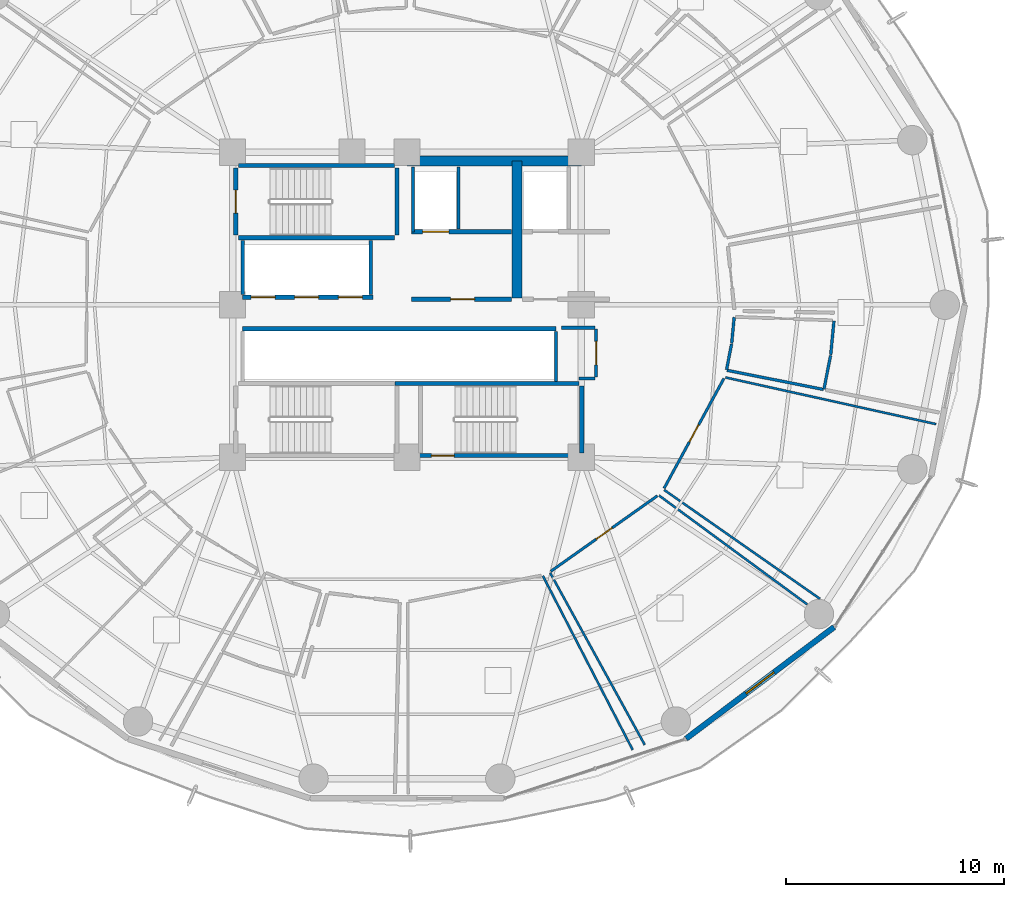
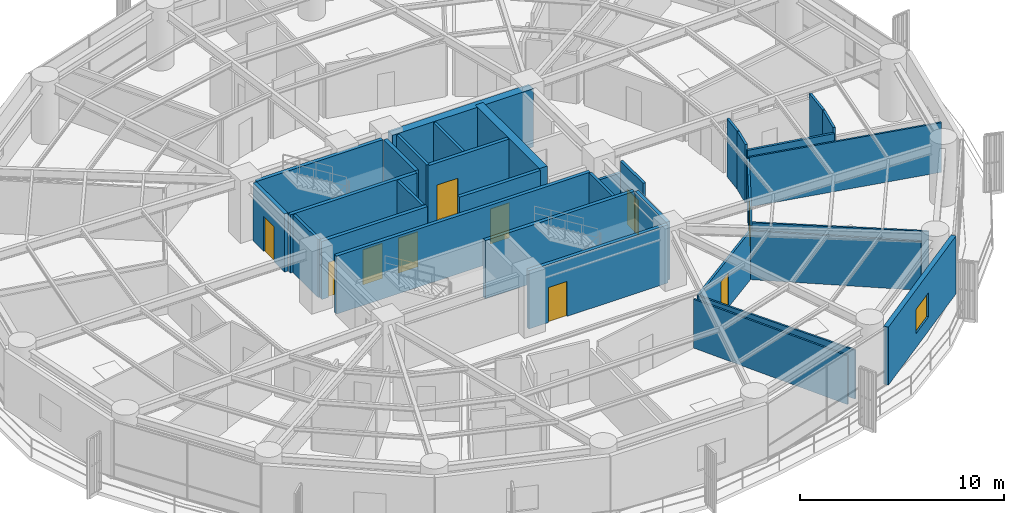
# One storey, part 30 of 35: 34 walls, 10 doors, 1 window, 11 openings.
"""IFC4 building model written with IfcOpenShell, lengths in metres."""

import ifcopenshell
import ifcopenshell.guid

model = None  # the IFC model being written
_history = None  # IfcOwnerHistory: only IFC2X3 demands one
_inside = {}  # id of a spatial element -> (the spatial element, [elements in it])
_under = {}  # id of a project, library or spatial element -> (it, [spatial elements below it])
_declared = {}  # id of a project -> (the project, [libraries it declares])
_typed = {}  # id of a type object -> (the type object, [elements of that type])
_made_of = {}  # id of a material, layer set ... -> (it, [elements and type objects made of it])


def new_model(schema):
    """Start an empty IFC model of exactly this schema.

    Asked for "IFC4X3", IfcOpenShell would pick the latest addendum, in which some entities
    have other attributes; the version numbers below select the first issue.
    IFC2X3 requires an IfcOwnerHistory on every rooted entity: one is made here for all.
    """
    global model, _history
    if schema == "IFC4X3":
        model = ifcopenshell.file(schema_version=(4, 3, 0, 0))
    else:
        model = ifcopenshell.file(schema=schema)
    _inside.clear()
    _under.clear()
    _declared.clear()
    _typed.clear()
    _made_of.clear()
    _history = None
    if model.schema == "IFC2X3":
        org = make("IfcOrganization", Name="unknown")
        user = make(
            "IfcPersonAndOrganization",
            ThePerson=make("IfcPerson", FamilyName="unknown"),
            TheOrganization=org,
        )
        app = make(
            "IfcApplication",
            ApplicationDeveloper=org,
            Version="unknown",
            ApplicationFullName="unknown",
            ApplicationIdentifier="unknown",
        )
        _history = make(
            "IfcOwnerHistory",
            OwningUser=user,
            OwningApplication=app,
            ChangeAction="ADDED",
            CreationDate=0,
        )
    return model


def make(cls, **values):
    """One entity of the class cls with the attributes given. An attribute that is None is left unset."""
    return model.create_entity(
        cls, **{name: value for name, value in values.items() if value is not None}
    )


def rooted(cls, **values):
    """An entity with a GlobalId (a new one), such as an element, a storey or a relation."""
    return make(cls, GlobalId=ifcopenshell.guid.new(), OwnerHistory=_history, **values)


def si_unit(unit_type, name, prefix=None):
    """IfcSIUnit, for example si_unit("LENGTHUNIT", "METRE", prefix="MILLI")."""
    return make("IfcSIUnit", UnitType=unit_type, Prefix=prefix, Name=name)


def assignment(units):
    """IfcUnitAssignment: the units of a project."""
    return None if units is None else make("IfcUnitAssignment", Units=units)


def point(xyz):
    """IfcCartesianPoint."""
    return None if xyz is None else make("IfcCartesianPoint", Coordinates=xyz)


def direction(xyz):
    """IfcDirection."""
    return None if xyz is None else make("IfcDirection", DirectionRatios=xyz)


def frame(location, z_axis=None, x_axis=None):
    """IfcAxis2Placement3D, a coordinate frame: its origin and axes. An axis left out is left unset."""
    return make(
        "IfcAxis2Placement3D",
        Location=point(location),
        Axis=direction(z_axis),
        RefDirection=direction(x_axis),
    )


def frame_2d(location, x_axis=None):
    """IfcAxis2Placement2D, a coordinate frame in the plane: its origin and x axis."""
    return make(
        "IfcAxis2Placement2D", Location=point(location), RefDirection=direction(x_axis)
    )


def origin():
    """The frame at (0, 0, 0) with its axes left unset."""
    return frame((0.0, 0.0, 0.0))


def place(relative_to, where):
    """IfcLocalPlacement: puts the frame where relative to a parent placement (None: the world)."""
    return make(
        "IfcLocalPlacement", PlacementRelTo=relative_to, RelativePlacement=where
    )


def context(
    kind, dimensions, precision=None, world=None, true_north=None, identifier=None
):
    """IfcGeometricRepresentationContext, for example the 3D "Model" context."""
    return make(
        "IfcGeometricRepresentationContext",
        ContextIdentifier=identifier,
        ContextType=kind,
        CoordinateSpaceDimension=dimensions,
        Precision=precision,
        WorldCoordinateSystem=world,
        TrueNorth=true_north,
    )


def subcontext(parent, identifier, kind, view, scale=None):
    """IfcGeometricRepresentationSubContext, for example "Body" below "Model"."""
    return make(
        "IfcGeometricRepresentationSubContext",
        ContextIdentifier=identifier,
        ContextType=kind,
        ParentContext=parent,
        TargetScale=scale,
        TargetView=view,
    )


def project(units=None, contexts=None):
    """IfcProject with its units and contexts."""
    return rooted(
        "IfcProject",
        Name="project",
        RepresentationContexts=contexts,
        UnitsInContext=assignment(units),
    )


def spatial(cls, under=None, at=None, **own):
    """A site, building, storey or space (cls), placed at a placement, below another one or the project."""
    s = rooted(cls, ObjectPlacement=at, **own)
    if under is not None:
        _under.setdefault(under.id(), (under, []))[1].append(s)
    return s


def profile(cls, at=None, kind="AREA", **sizes):
    """A parametric profile (cls). Its sizes go by their IFC names, for example OverallWidth=200.0."""
    return make(cls, ProfileType=kind, Position=at, **sizes)


def rectangle(**sizes):
    """IfcRectangleProfileDef."""
    return profile("IfcRectangleProfileDef", **sizes)


def extrude(swept, where, along, depth):
    """IfcExtrudedAreaSolid: the profile swept, set in the frame where, extruded along a direction by depth."""
    return make(
        "IfcExtrudedAreaSolid",
        SweptArea=swept,
        Position=where,
        ExtrudedDirection=direction(along),
        Depth=depth,
    )


def shape(context_of_items, identifier, shape_type, items):
    """IfcShapeRepresentation: the items that make up one representation, for example the "Body"."""
    return make(
        "IfcShapeRepresentation",
        ContextOfItems=context_of_items,
        RepresentationIdentifier=identifier,
        RepresentationType=shape_type,
        Items=items,
    )


def material(Name=None, Category=None):
    """IfcMaterial."""
    return make("IfcMaterial", Name=Name, Category=Category)


def layer(
    of_material, thickness, ventilated=None, Name=None, Category=None, Priority=None
):
    """IfcMaterialLayer: one layer of a wall or slab, of a material (None: an air gap)."""
    return make(
        "IfcMaterialLayer",
        Material=of_material,
        LayerThickness=thickness,
        IsVentilated=ventilated,
        Name=Name,
        Category=Category,
        Priority=Priority,
    )


def layer_set(layers, Name=None):
    """IfcMaterialLayerSet."""
    return make("IfcMaterialLayerSet", MaterialLayers=layers, LayerSetName=Name)


def made_of(thing, what):
    """Note that an element or type object is made of a material, layer set ...; save() writes the relation."""
    if what is not None:
        _made_of.setdefault(what.id(), (what, []))[1].append(thing)
    return thing


def type_object(cls, material=None, **own):
    """A type object (cls), such as IfcWallType, which elements share."""
    return made_of(rooted(cls, **own), material)


def element(
    cls,
    number,
    at=None,
    inside=None,
    cuts=None,
    type_object=None,
    material=None,
    context=None,
    identifier="Body",
    shape_type=None,
    held_by="IfcProductDefinitionShape",
    body=None,
    shapes=None,
    **own,
):
    """One element of the class cls, such as IfcWall. Its Tag is "e" and its number.

    at: its placement. inside: the storey or other place that contains it. cuts: it is an
    opening in that element (IfcRelVoidsElement). A single representation is given by context,
    identifier, shape_type and body (its items); several are given by shapes. held_by: the class
    of the entity that holds the representations. save() writes the other relations.
    """
    e = rooted(cls, Tag="e%d" % number, ObjectPlacement=at, **own)
    if body is not None:
        shapes = [shape(context, identifier, shape_type, body)]
    if shapes is not None:
        e.Representation = make(held_by, Representations=shapes)
    if inside is not None:
        _inside.setdefault(inside.id(), (inside, []))[1].append(e)
    if cuts is not None:
        rooted(
            "IfcRelVoidsElement", RelatingBuildingElement=cuts, RelatedOpeningElement=e
        )
    if type_object is not None:
        _typed.setdefault(type_object.id(), (type_object, []))[1].append(e)
    return made_of(e, material)


def fill(opening, filler):
    """IfcRelFillsElement: the door or window that sits in an opening."""
    return rooted(
        "IfcRelFillsElement",
        RelatingOpeningElement=opening,
        RelatedBuildingElement=filler,
    )


def aggregate(whole, parts):
    """IfcRelAggregates: a whole, such as a stair, and the parts it consists of."""
    return rooted("IfcRelAggregates", RelatingObject=whole, RelatedObjects=parts)


def save(model, path):
    """Write the relations noted so far, then the file.

    IfcRelAggregates (storeys below a building ...), IfcRelContainedInSpatialStructure (elements
    in a storey), IfcRelDefinesByType, IfcRelAssociatesMaterial and IfcRelDeclares: one each for
    every whole, place, type object, material and project.
    """
    for whole, parts in _under.values():
        aggregate(whole, parts)
    for where, things in _inside.values():
        rooted(
            "IfcRelContainedInSpatialStructure",
            RelatedElements=things,
            RelatingStructure=where,
        )
    for kind, things in _typed.values():
        rooted("IfcRelDefinesByType", RelatedObjects=things, RelatingType=kind)
    for what, things in _made_of.values():
        rooted("IfcRelAssociatesMaterial", RelatedObjects=things, RelatingMaterial=what)
    for by, libraries in _declared.values():
        rooted("IfcRelDeclares", RelatingContext=by, RelatedDefinitions=libraries)
    model.write(path)


model = new_model("IFC4")

# Units and contexts
model_context = context("Model", 3, precision=1e-05, world=origin(), true_north=direction((0.0, 1.0)))
body_context = subcontext(model_context, "Body", "Model", "MODEL_VIEW")
ifc_project = project(units=[si_unit("LENGTHUNIT", "METRE"), si_unit("AREAUNIT", "SQUARE_METRE"), si_unit("VOLUMEUNIT", "CUBIC_METRE"), si_unit("PLANEANGLEUNIT", "RADIAN"), si_unit("MASSUNIT", "GRAM", prefix="KILO")], contexts=[model_context])

# Site, building, storey
site_placement = place(None, origin())
site = spatial("IfcSite", under=ifc_project, at=site_placement, CompositionType="ELEMENT")
building_placement = place(site_placement, origin())
building = spatial("IfcBuilding", under=site, at=building_placement, Name="Kelanora Arch Commons", CompositionType="ELEMENT")
storey_placement = place(building_placement, frame((0.0, 0.0, 121.35009765625)))
storey = spatial("IfcBuildingStorey", under=building, at=storey_placement, Name="L31", CompositionType="ELEMENT", Elevation=121.35009765625)

# Walls
ifc_material_1 = material(Name="Autoclaved aerated concrete blockwork with fire plaster", Category="masonry")
ifc_layer_1 = layer(ifc_material_1, 0.14990234375)
ifc_layer_set_1 = layer_set([ifc_layer_1], Name="Autoclaved aerated concrete blockwork with fire plaster")
wall_type_1 = type_object("IfcWallType", Name="W-COMP-150", PredefinedType="PARTITIONING", material=ifc_layer_set_1)
wall_1_placement = place(storey_placement, frame((74.280029296875, 61.35009765625, 0.0), z_axis=(0.0, 0.0, 1.0), x_axis=(0.0, 1.0, 0.0)))
element("IfcWall", 1, at=wall_1_placement, inside=storey, type_object=wall_type_1, Name="Firefighting Lift 1 West Shaft Wall L31", PredefinedType="PARTITIONING", context=body_context, shape_type="SweptSolid", body=[
    extrude(rectangle(XDim=2.969970703125, YDim=0.14990234375, at=frame_2d((1.48486328125, 0.0))), origin(), (0.0, 0.0, 1.0), 3.47998046875),
])
wall_2_placement = place(storey_placement, frame((76.360107421875, 61.47998046875, 0.0), z_axis=(0.0, 0.0, 1.0), x_axis=(0.0, 1.0, 0.0)))
element("IfcWall", 2, at=wall_2_placement, inside=storey, type_object=wall_type_1, Name="Firefighting Lift 1 East Shaft Wall L31", PredefinedType="PARTITIONING", context=body_context, shape_type="SweptSolid", body=[
    extrude(rectangle(XDim=2.840087890625, YDim=0.14990234375, at=frame_2d((1.419921875, 0.0))), origin(), (0.0, 0.0, 1.0), 3.47998046875),
])
for number, where, z_axis, x_axis, name in (
    (3, (66.4599609375, 58.47998046875, 0.0), (0.0, 0.0, 1.0), (0.0, 1.0, 0.0), "Low-Rise Lift Bank West Wall L31"),
    (4, (72.340087890625, 58.47998046875, 0.0), (0.0, 0.0, 1.0), (0.0, 1.0, 0.0), "Low-Rise Lift Bank East Wall L31"),
):
    element("IfcWall", number, at=place(storey_placement, frame(where, z_axis=z_axis, x_axis=x_axis)), inside=storey, type_object=wall_type_1, Name=name, PredefinedType="PARTITIONING", context=body_context, shape_type="SweptSolid", body=[
        extrude(rectangle(XDim=2.4599609375, YDim=0.14990234375, at=frame_2d((1.22998046875, 0.0))), origin(), (0.0, 0.0, 1.0), 3.47998046875),
    ])
wall_3_placement = place(storey_placement, frame((80.840087890625, 54.47998046875, 0.0), z_axis=(0.0, 0.0, 1.0), x_axis=(0.0, 1.0, 0.0)))
element("IfcWall", 5, at=wall_3_placement, inside=storey, type_object=wall_type_1, Name="South Lift Bank East Wall L31", PredefinedType="PARTITIONING", context=body_context, shape_type="SweptSolid", body=[
    extrude(rectangle(XDim=2.2900390625, YDim=0.14990234375, at=frame_2d((1.14501953125, 0.0))), origin(), (0.0, 0.0, 1.0), 3.47998046875),
])

# Wall, opening, door
wall_4_placement = place(storey_placement, frame((82.679931640625, 54.679931640625, 0.0), z_axis=(0.0, 0.0, 1.0), x_axis=(0.0, 1.0, 0.0)))
wall_4 = element("IfcWall", 6, at=wall_4_placement, inside=storey, type_object=wall_type_1, Name="Core Housekeeping Store L31 Entry Partition", PredefinedType="PARTITIONING", context=body_context, shape_type="SweptSolid", body=[
    extrude(rectangle(XDim=2.2099609375, YDim=0.14990234375, at=frame_2d((1.10498046875, 0.0))), origin(), (0.0, 0.0, 1.0), 3.47998046875),
])
opening_1_placement = place(wall_4_placement, frame((0.56494140625, 0.0, 0.0)))
opening_1 = element("IfcOpeningElement", 7, at=opening_1_placement, cuts=wall_4, Name="Opening D-PLT1", PredefinedType="OPENING", context=body_context, shape_type="SweptSolid", body=[
    extrude(rectangle(XDim=1.080078125, YDim=2.10009765625, at=frame_2d((0.5400390625, 1.050048828125))), frame((0.0, 0.0849609375, 0.0), z_axis=(0.0, -1.0, 0.0), x_axis=(1.0, 0.0, 0.0)), (0.0, 0.0, 1.0), 0.169921875),
])
ifc_material_2 = material(Name="Galvanised steel plant and riser fire door", Category="steel")
door_type_1 = type_object("IfcDoorType", Name="D-PLT-110", OperationType="NOTDEFINED", PredefinedType="DOOR", material=ifc_material_2)
door_1_placement = place(opening_1_placement, origin())
door_1 = element("IfcDoor", 8, at=door_1_placement, inside=storey, type_object=door_type_1, Name="Core Housekeeping Store L31 Door", OperationType="SINGLE_SWING_LEFT", OverallHeight=2.10009765625, OverallWidth=1.080078125, PredefinedType="DOOR", context=body_context, shape_type="SweptSolid", body=[
    extrude(rectangle(XDim=1.080078125, YDim=2.10009765625, at=frame_2d((0.5400390625, 1.050048828125))), frame((0.0, 0.02490234375, 0.0), z_axis=(0.0, -1.0, 0.0), x_axis=(1.0, 0.0, 0.0)), (0.0, 0.0, 1.0), 0.050048828125),
])
fill(opening_1, door_1)

# Walls
wall_5_placement = place(storey_placement, frame((81.89990234375, 54.6201171875, 0.0), z_axis=(0.0, 0.0, 1.0), x_axis=(1.0, 0.0, 0.0)))
element("IfcWall", 9, at=wall_5_placement, inside=storey, type_object=wall_type_1, Name="Core Housekeeping Store L31 Enclosure Partition 1", PredefinedType="PARTITIONING", context=body_context, shape_type="SweptSolid", body=[
    extrude(rectangle(XDim=0.739990234375, YDim=0.14990234375, at=frame_2d((0.3701171875, 0.0))), origin(), (0.0, 0.0, 1.0), 2.77490234375),
])
wall_6_placement = place(storey_placement, frame((82.639892578125, 56.949951171875, 0.0), z_axis=(0.0, 0.0, 1.0), x_axis=(-1.0, 0.0, 0.0)))
element("IfcWall", 10, at=wall_6_placement, inside=storey, type_object=wall_type_1, Name="Core Housekeeping Store L31 Enclosure Partition 3", PredefinedType="PARTITIONING", context=body_context, shape_type="SweptSolid", body=[
    extrude(rectangle(XDim=1.5498046875, YDim=0.14990234375, at=frame_2d((0.77490234375, 0.0))), origin(), (0.0, 0.0, 1.0), 2.77490234375),
])
ifc_material_3 = material(Name="Concrete C60/75", Category="concrete")
ifc_layer_2 = layer(ifc_material_3, 0.449951171875)
ifc_layer_set_2 = layer_set([ifc_layer_2], Name="Concrete C60/75")
wall_type_2 = type_object("IfcWallType", Name="W-CORE-450", PredefinedType="SHEAR", material=ifc_layer_set_2)
wall_7_placement = place(storey_placement, frame((74.0, 64.60009765625, 0.0), z_axis=(0.0, 0.0, 1.0), x_axis=(1.0, 0.0, 0.0)))
element("IfcWall", 11, at=wall_7_placement, inside=storey, type_object=wall_type_2, Name="Core Shear Spine L31-CN-E", PredefinedType="SHEAR", context=body_context, shape_type="SweptSolid", body=[
    extrude(rectangle(XDim=8.0, YDim=0.449951171875, at=frame_2d((4.0, 0.0))), origin(), (0.0, 0.0, 1.0), 3.489990234375),
])
wall_8_placement = place(storey_placement, frame((79.050048828125, 58.300048828125, 0.0), z_axis=(0.0, 0.0, 1.0), x_axis=(0.0, 1.0, 0.0)))
element("IfcWall", 12, at=wall_8_placement, inside=storey, type_object=wall_type_2, Name="Core Shear Spine L31-CE-N", PredefinedType="SHEAR", context=body_context, shape_type="SweptSolid", body=[
    extrude(rectangle(XDim=6.300048828125, YDim=0.449951171875, at=frame_2d((3.14990234375, 0.0))), origin(), (0.0, 0.0, 1.0), 3.489990234375),
])

# Wall, opening, window
ifc_material_4 = material(Name="Precast concrete C40/50 with terracotta rainscreen", Category="masonry")
ifc_layer_3 = layer(ifc_material_4, 0.260009765625)
ifc_layer_set_3 = layer_set([ifc_layer_3], Name="Precast concrete C40/50 with terracotta rainscreen")
wall_type_3 = type_object("IfcWallType", Name="W-EXT-TC", PredefinedType="SOLIDWALL", material=ifc_layer_set_3)
wall_9_placement = place(storey_placement, frame((86.81201171875, 38.09033203125, 0.0), z_axis=(0.0, 0.0, 1.0), x_axis=(0.798501507879, 0.601992808857, 0.0)))
wall_9 = element("IfcWall", 13, at=wall_9_placement, inside=storey, type_object=wall_type_3, Name="Terracotta Exterior Wall L31-B15", PredefinedType="SOLIDWALL", context=body_context, shape_type="SweptSolid", body=[
    extrude(rectangle(XDim=8.499267578125, YDim=0.260009765625, at=frame_2d((4.24951171875, 0.0))), origin(), (0.0, 0.0, 1.0), 3.474853515625),
])
opening_2_placement = place(wall_9_placement, frame((3.449951171875, 0.0, 0.85009765625)))
opening_2 = element("IfcOpeningElement", 14, at=opening_2_placement, cuts=wall_9, Name="Opening WN-01", PredefinedType="OPENING", context=body_context, shape_type="SweptSolid", body=[
    extrude(rectangle(XDim=1.60009765625, YDim=1.449951171875, at=frame_2d((0.800048828125, 0.72509765625))), frame((0.0, 0.14013671875, 0.0), z_axis=(0.0, -1.0, 0.0), x_axis=(1.0, 0.0, 0.0)), (0.0, 0.0, 1.0), 0.280029296875),
])
ifc_material_5 = material(Name="Terracotta-anodised aluminium frame with operable low-E glazing", Category="masonry")
window_type = type_object("IfcWindowType", Name="WIN-CL-18", PartitioningType="DOUBLE_PANEL_VERTICAL", PredefinedType="WINDOW", material=ifc_material_5)
window_placement = place(opening_2_placement, origin())
window = element("IfcWindow", 15, at=window_placement, inside=storey, type_object=window_type, Name="Co-Living Operable Window L31-B15", OverallHeight=1.449951171875, OverallWidth=1.60009765625, PartitioningType="SINGLE_PANEL", PredefinedType="WINDOW", context=body_context, shape_type="SweptSolid", body=[
    extrude(rectangle(XDim=1.60009765625, YDim=1.449951171875, at=frame_2d((0.800048828125, 0.72509765625))), frame((0.0, 0.030029296875, 0.0), z_axis=(0.0, -1.0, 0.0), x_axis=(1.0, 0.0, 0.0)), (0.0, 0.0, 1.0), 0.06005859375),
])
fill(opening_2, window)

# Wall, opening, door
ifc_material_6 = material(Name="Concrete C40/50", Category="concrete")
ifc_layer_4 = layer(ifc_material_6, 0.199951171875)
ifc_layer_set_4 = layer_set([ifc_layer_4], Name="Concrete C40/50")
wall_type_4 = type_object("IfcWallType", Name="W-FFL-200", PredefinedType="SOLIDWALL", material=ifc_layer_set_4)
wall_10_placement = place(storey_placement, frame((74.199951171875, 61.35009765625, 0.0), z_axis=(0.0, 0.0, 1.0), x_axis=(1.0, 0.0, 0.0)))
wall_10 = element("IfcWall", 16, at=wall_10_placement, inside=storey, type_object=wall_type_4, Name="Firefighting Lift 1 Shaft Front L31", PredefinedType="SOLIDWALL", context=body_context, shape_type="SweptSolid", body=[
    extrude(rectangle(XDim=4.60009765625, YDim=0.199951171875, at=frame_2d((2.300048828125, 0.0))), origin(), (0.0, 0.0, 1.0), 3.47998046875),
])
opening_3_placement = place(wall_10_placement, frame((0.52001953125, 0.0, 0.0)))
opening_3 = element("IfcOpeningElement", 17, at=opening_3_placement, cuts=wall_10, Name="Opening LD-FF", PredefinedType="OPENING", context=body_context, shape_type="SweptSolid", body=[
    extrude(rectangle(XDim=1.199951171875, YDim=2.14990234375, at=frame_2d((0.60009765625, 1.074951171875))), frame((0.0, 0.10986328125, 0.0), z_axis=(0.0, -1.0, 0.0), x_axis=(1.0, 0.0, 0.0)), (0.0, 0.0, 1.0), 0.219970703125),
])
ifc_material_7 = material(Name="Fire-rated firefighters lift sliding landing door")
door_type_2 = type_object("IfcDoorType", Name="D-LIFT-FF", OperationType="NOTDEFINED", PredefinedType="DOOR", material=ifc_material_7)
door_2_placement = place(opening_3_placement, origin())
door_2 = element("IfcDoor", 18, at=door_2_placement, inside=storey, type_object=door_type_2, Name="Firefighting Lift LF-FF1 Landing Door L31", OperationType="DOUBLE_DOOR_SLIDING", OverallHeight=2.14990234375, OverallWidth=1.199951171875, PredefinedType="DOOR", context=body_context, shape_type="SweptSolid", body=[
    extrude(rectangle(XDim=1.199951171875, YDim=2.14990234375, at=frame_2d((0.60009765625, 1.074951171875))), frame((0.0, 0.02490234375, 0.0), z_axis=(0.0, -1.0, 0.0), x_axis=(1.0, 0.0, 0.0)), (0.0, 0.0, 1.0), 0.050048828125),
])
fill(opening_3, door_2)

wall_11_placement = place(storey_placement, frame((74.199951171875, 58.25, 0.0), z_axis=(0.0, 0.0, 1.0), x_axis=(1.0, 0.0, 0.0)))
wall_11 = element("IfcWall", 19, at=wall_11_placement, inside=storey, type_object=wall_type_4, Name="Firefighting Lobby 1 Enclosure Wall L31", PredefinedType="SOLIDWALL", context=body_context, shape_type="SweptSolid", body=[
    extrude(rectangle(XDim=4.60009765625, YDim=0.199951171875, at=frame_2d((2.300048828125, 0.0))), origin(), (0.0, 0.0, 1.0), 3.47998046875),
])
opening_4_placement = place(wall_11_placement, frame((1.800048828125, 0.0, 0.0)))
opening_4 = element("IfcOpeningElement", 20, at=opening_4_placement, cuts=wall_11, Name="Opening D-FFL1", PredefinedType="OPENING", context=body_context, shape_type="SweptSolid", body=[
    extrude(rectangle(XDim=1.10009765625, YDim=2.10009765625, at=frame_2d((0.550048828125, 1.050048828125))), frame((0.0, 0.10986328125, 0.0), z_axis=(0.0, -1.0, 0.0), x_axis=(1.0, 0.0, 0.0)), (0.0, 0.0, 1.0), 0.219970703125),
])
ifc_material_8 = material(Name="Smoke-sealed firefighting lobby fire door")
door_type_3 = type_object("IfcDoorType", Name="D-FFL-110", OperationType="NOTDEFINED", PredefinedType="DOOR", material=ifc_material_8)
door_3_placement = place(opening_4_placement, frame((1.10009765625, 0.0, 0.0), z_axis=(0.0, 0.0, 1.0), x_axis=(-1.0, 0.0, 0.0)))
door_3 = element("IfcDoor", 21, at=door_3_placement, inside=storey, type_object=door_type_3, Name="Firefighting Lobby 1 Door L31", OperationType="SINGLE_SWING_LEFT", OverallHeight=2.10009765625, OverallWidth=1.10009765625, PredefinedType="DOOR", context=body_context, shape_type="SweptSolid", body=[
    extrude(rectangle(XDim=1.10009765625, YDim=2.10009765625, at=frame_2d((0.550048828125, 1.050048828125))), frame((0.0, 0.02490234375, 0.0), z_axis=(0.0, -1.0, 0.0), x_axis=(1.0, 0.0, 0.0)), (0.0, 0.0, 1.0), 0.050048828125),
])
fill(opening_4, door_3)

# Wall, openings, doors
wall_12_placement = place(storey_placement, frame((66.449951171875, 58.35009765625, 0.0), z_axis=(0.0, 0.0, 1.0), x_axis=(1.0, 0.0, 0.0)))
wall_12 = element("IfcWall", 22, at=wall_12_placement, inside=storey, type_object=wall_type_4, Name="Low-Rise Passenger Lift Shaft Front L31", PredefinedType="SOLIDWALL", context=body_context, shape_type="SweptSolid", body=[
    extrude(rectangle(XDim=6.0, YDim=0.199951171875, at=frame_2d((3.0, 0.0))), origin(), (0.0, 0.0, 1.0), 3.47998046875),
])
opening_5_placement = place(wall_12_placement, frame((0.39990234375, 0.0, 0.0)))
opening_5 = element("IfcOpeningElement", 23, at=opening_5_placement, cuts=wall_12, Name="Opening LD-01", PredefinedType="OPENING", context=body_context, shape_type="SweptSolid", body=[
    extrude(rectangle(XDim=1.10009765625, YDim=2.10009765625, at=frame_2d((0.550048828125, 1.050048828125))), frame((0.0, 0.10986328125, 0.0), z_axis=(0.0, -1.0, 0.0), x_axis=(1.0, 0.0, 0.0)), (0.0, 0.0, 1.0), 0.219970703125),
])
opening_6_placement = place(wall_12_placement, frame((2.39990234375, 0.0, 0.0)))
opening_6 = element("IfcOpeningElement", 24, at=opening_6_placement, cuts=wall_12, Name="Opening LD-01", PredefinedType="OPENING", context=body_context, shape_type="SweptSolid", body=[
    extrude(rectangle(XDim=1.10009765625, YDim=2.10009765625, at=frame_2d((0.550048828125, 1.050048828125))), frame((0.0, 0.10986328125, 0.0), z_axis=(0.0, -1.0, 0.0), x_axis=(1.0, 0.0, 0.0)), (0.0, 0.0, 1.0), 0.219970703125),
])
opening_7_placement = place(wall_12_placement, frame((4.39990234375, 0.0, 0.0)))
opening_7 = element("IfcOpeningElement", 25, at=opening_7_placement, cuts=wall_12, Name="Opening LD-01", PredefinedType="OPENING", context=body_context, shape_type="SweptSolid", body=[
    extrude(rectangle(XDim=1.10009765625, YDim=2.10009765625, at=frame_2d((0.550048828125, 1.050048828125))), frame((0.0, 0.10986328125, 0.0), z_axis=(0.0, -1.0, 0.0), x_axis=(1.0, 0.0, 0.0)), (0.0, 0.0, 1.0), 0.219970703125),
])
ifc_material_9 = material(Name="Stainless steel passenger lift sliding landing door", Category="steel")
door_type_4 = type_object("IfcDoorType", Name="D-LIFT-110", OperationType="NOTDEFINED", PredefinedType="DOOR", material=ifc_material_9)
door_4_placement = place(opening_5_placement, origin())
door_4 = element("IfcDoor", 26, at=door_4_placement, inside=storey, type_object=door_type_4, Name="Passenger Lift LF-P1 Landing Door L31", OperationType="DOUBLE_DOOR_SLIDING", OverallHeight=2.10009765625, OverallWidth=1.10009765625, PredefinedType="DOOR", context=body_context, shape_type="SweptSolid", body=[
    extrude(rectangle(XDim=1.10009765625, YDim=2.10009765625, at=frame_2d((0.550048828125, 1.050048828125))), frame((0.0, 0.02490234375, 0.0), z_axis=(0.0, -1.0, 0.0), x_axis=(1.0, 0.0, 0.0)), (0.0, 0.0, 1.0), 0.050048828125),
])
fill(opening_5, door_4)
door_5_placement = place(opening_6_placement, origin())
door_5 = element("IfcDoor", 27, at=door_5_placement, inside=storey, type_object=door_type_4, Name="Passenger Lift LF-P2 Landing Door L31", OperationType="DOUBLE_DOOR_SLIDING", OverallHeight=2.10009765625, OverallWidth=1.10009765625, PredefinedType="DOOR", context=body_context, shape_type="SweptSolid", body=[
    extrude(rectangle(XDim=1.10009765625, YDim=2.10009765625, at=frame_2d((0.550048828125, 1.050048828125))), frame((0.0, 0.02490234375, 0.0), z_axis=(0.0, -1.0, 0.0), x_axis=(1.0, 0.0, 0.0)), (0.0, 0.0, 1.0), 0.050048828125),
])
fill(opening_6, door_5)
door_6_placement = place(opening_7_placement, origin())
door_6 = element("IfcDoor", 28, at=door_6_placement, inside=storey, type_object=door_type_4, Name="Passenger Lift LF-P3 Landing Door L31", OperationType="DOUBLE_DOOR_SLIDING", OverallHeight=2.10009765625, OverallWidth=1.10009765625, PredefinedType="DOOR", context=body_context, shape_type="SweptSolid", body=[
    extrude(rectangle(XDim=1.10009765625, YDim=2.10009765625, at=frame_2d((0.550048828125, 1.050048828125))), frame((0.0, 0.02490234375, 0.0), z_axis=(0.0, -1.0, 0.0), x_axis=(1.0, 0.0, 0.0)), (0.0, 0.0, 1.0), 0.050048828125),
])
fill(opening_7, door_6)

# Walls
wall_13_placement = place(storey_placement, frame((66.449951171875, 56.89990234375, 0.0), z_axis=(0.0, 0.0, 1.0), x_axis=(1.0, 0.0, 0.0)))
element("IfcWall", 29, at=wall_13_placement, inside=storey, type_object=wall_type_4, Name="Mid/High/Express Lift Shaft Front L31", PredefinedType="SOLIDWALL", context=body_context, shape_type="SweptSolid", body=[
    extrude(rectangle(XDim=14.400146484375, YDim=0.199951171875, at=frame_2d((7.2001953125, 0.0))), origin(), (0.0, 0.0, 1.0), 3.47998046875),
])
ifc_material_10 = material(Name="Lightweight fire-rated acoustic stud partition")
ifc_layer_5 = layer(ifc_material_10, 0.10009765625)
ifc_layer_set_5 = layer_set([ifc_layer_5], Name="Lightweight fire-rated acoustic stud partition")
wall_type_5 = type_object("IfcWallType", Name="W-PART-100", PredefinedType="PARTITIONING", material=ifc_layer_set_5)
wall_14_placement = place(storey_placement, frame((80.2373046875, 45.556396484375, 0.0), z_axis=(0.0, 0.0, 1.0), x_axis=(0.458694817529, -0.888593869196, 0.0)))
element("IfcWall", 30, at=wall_14_placement, inside=storey, type_object=wall_type_5, Name="Social Sky Lounge L31-10 Enclosure Partition 2", PredefinedType="PARTITIONING", context=body_context, shape_type="SweptSolid", body=[
    extrude(rectangle(XDim=8.987060546875, YDim=0.10009765625, at=frame_2d((4.49365234375, 0.0))), origin(), (0.0, 0.0, 1.0), 2.9248046875),
])
wall_15_placement = place(storey_placement, frame((85.572265625, 49.243408203125, 0.0), z_axis=(0.0, 0.0, 1.0), x_axis=(0.805852200235, -0.592116737963, 0.0)))
element("IfcWall", 31, at=wall_15_placement, inside=storey, type_object=wall_type_5, Name="Quiet Seminar Study Room L31-11 Enclosure Partition 2", PredefinedType="PARTITIONING", context=body_context, shape_type="SweptSolid", body=[
    extrude(rectangle(XDim=8.429931640625, YDim=0.10009765625, at=frame_2d((4.21484375, 0.0))), origin(), (0.0, 0.0, 1.0), 2.9248046875),
])
wall_16_placement = place(storey_placement, frame((84.91259765625, 37.802978515625, 0.0), z_axis=(0.0, 0.0, 1.0), x_axis=(-0.481837612944, 0.876260529039, 0.0)))
element("IfcWall", 32, at=wall_16_placement, inside=storey, type_object=wall_type_5, Name="Quiet Seminar Study Room L31-11 Enclosure Partition 4", PredefinedType="PARTITIONING", context=body_context, shape_type="SweptSolid", body=[
    extrude(rectangle(XDim=9.010009765625, YDim=0.10009765625, at=frame_2d((4.5048828125, 0.0))), origin(), (0.0, 0.0, 1.0), 2.9248046875),
])
wall_17_placement = place(storey_placement, frame((88.614013671875, 54.664306640625, 0.0), z_axis=(0.0, 0.0, 1.0), x_axis=(0.976312199438, -0.216366562178, 0.0)))
element("IfcWall", 33, at=wall_17_placement, inside=storey, type_object=wall_type_5, Name="Quiet Seminar Study Room L31-12 Enclosure Partition 2", PredefinedType="PARTITIONING", context=body_context, shape_type="SweptSolid", body=[
    extrude(rectangle(XDim=9.902587890625, YDim=0.10009765625, at=frame_2d((4.951171875, 0.0))), origin(), (0.0, 0.0, 1.0), 2.974853515625),
])
wall_18_placement = place(storey_placement, frame((92.95263671875, 44.505615234375, 0.0), z_axis=(0.0, 0.0, 1.0), x_axis=(-0.8195552972, 0.573000100201, 0.0)))
element("IfcWall", 34, at=wall_18_placement, inside=storey, type_object=wall_type_5, Name="Quiet Seminar Study Room L31-12 Enclosure Partition 4", PredefinedType="PARTITIONING", context=body_context, shape_type="SweptSolid", body=[
    extrude(rectangle(XDim=8.7216796875, YDim=0.10009765625, at=frame_2d((4.36083984375, 0.0))), origin(), (0.0, 0.0, 1.0), 3.1748046875),
])

# Wall, opening, door
ifc_material_11 = material(Name="Acoustic twin-stud fire-rated gypsum partition")
ifc_layer_6 = layer(ifc_material_11, 0.1201171875)
ifc_layer_set_6 = layer_set([ifc_layer_6], Name="Acoustic twin-stud fire-rated gypsum partition")
wall_type_6 = type_object("IfcWallType", Name="W-PART-120", PredefinedType="PARTITIONING", material=ifc_layer_set_6)
wall_19_placement = place(storey_placement, frame((80.60107421875, 45.767578125, 0.0), z_axis=(0.0, 0.0, 1.0), x_axis=(0.815932399176, 0.578147316846, 0.0)))
wall_19 = element("IfcWall", 35, at=wall_19_placement, inside=storey, type_object=wall_type_6, Name="Quiet Seminar Study Room L31-11 Entry Partition", PredefinedType="PARTITIONING", context=body_context, shape_type="SweptSolid", body=[
    extrude(rectangle(XDim=5.992919921875, YDim=0.1201171875, at=frame_2d((2.99658203125, 0.0))), origin(), (0.0, 0.0, 1.0), 2.9248046875),
])
opening_8_placement = place(wall_19_placement, frame((2.5458984375, 0.0, 0.0)))
opening_8 = element("IfcOpeningElement", 36, at=opening_8_placement, cuts=wall_19, Name="Opening D-RM1", PredefinedType="OPENING", context=body_context, shape_type="SweptSolid", body=[
    extrude(rectangle(XDim=0.89990234375, YDim=2.080078125, at=frame_2d((0.449951171875, 1.0400390625))), frame((0.0, 0.070068359375, 0.0), z_axis=(0.0, -1.0, 0.0), x_axis=(1.0, 0.0, 0.0)), (0.0, 0.0, 1.0), 0.14013671875),
])
ifc_material_12 = material(Name="Acoustic fire-rated timber study and lounge door", Category="wood")
door_type_5 = type_object("IfcDoorType", Name="D-ROOM-90", OperationType="NOTDEFINED", PredefinedType="DOOR", material=ifc_material_12)
door_7_placement = place(opening_8_placement, origin())
door_7 = element("IfcDoor", 37, at=door_7_placement, inside=storey, type_object=door_type_5, Name="Quiet Seminar Study Room L31-11 Door", OperationType="SINGLE_SWING_LEFT", OverallHeight=2.080078125, OverallWidth=0.89990234375, PredefinedType="DOOR", context=body_context, shape_type="SweptSolid", body=[
    extrude(rectangle(XDim=0.89990234375, YDim=2.080078125, at=frame_2d((0.449951171875, 1.0400390625))), frame((0.0, 0.02490234375, 0.0), z_axis=(0.0, -1.0, 0.0), x_axis=(1.0, 0.0, 0.0)), (0.0, 0.0, 1.0), 0.050048828125),
])
fill(opening_8, door_7)

wall_20_placement = place(storey_placement, frame((85.80078125, 49.57861328125, 0.0), z_axis=(0.0, 0.0, 1.0), x_axis=(0.478256103777, 0.878220416069, 0.0)))
wall_20 = element("IfcWall", 38, at=wall_20_placement, inside=storey, type_object=wall_type_6, Name="Quiet Seminar Study Room L31-12 Entry Partition", PredefinedType="PARTITIONING", context=body_context, shape_type="SweptSolid", body=[
    extrude(rectangle(XDim=5.740966796875, YDim=0.1201171875, at=frame_2d((2.87060546875, 0.0))), origin(), (0.0, 0.0, 1.0), 2.9248046875),
])
opening_9_placement = place(wall_20_placement, frame((2.419921875, 0.0, 0.0)))
opening_9 = element("IfcOpeningElement", 39, at=opening_9_placement, cuts=wall_20, Name="Opening D-RM1", PredefinedType="OPENING", context=body_context, shape_type="SweptSolid", body=[
    extrude(rectangle(XDim=0.89990234375, YDim=2.080078125, at=frame_2d((0.449951171875, 1.0400390625))), frame((0.0, 0.070068359375, 0.0), z_axis=(0.0, -1.0, 0.0), x_axis=(1.0, 0.0, 0.0)), (0.0, 0.0, 1.0), 0.14013671875),
])
door_8_placement = place(opening_9_placement, origin())
door_8 = element("IfcDoor", 40, at=door_8_placement, inside=storey, type_object=door_type_5, Name="Quiet Seminar Study Room L31-12 Door", OperationType="SINGLE_SWING_RIGHT", OverallHeight=2.080078125, OverallWidth=0.89990234375, PredefinedType="DOOR", context=body_context, shape_type="SweptSolid", body=[
    extrude(rectangle(XDim=0.89990234375, YDim=2.080078125, at=frame_2d((0.449951171875, 1.0400390625))), frame((0.0, 0.02490234375, 0.0), z_axis=(0.0, -1.0, 0.0), x_axis=(1.0, 0.0, 0.0)), (0.0, 0.0, 1.0), 0.050048828125),
])
fill(opening_9, door_8)

# Walls
ifc_layer_7 = layer(ifc_material_6, 0.199951171875)
ifc_layer_set_7 = layer_set([ifc_layer_7], Name="Concrete C40/50")
wall_type_7 = type_object("IfcWallType", Name="W-STAIR-200", PredefinedType="SHEAR", material=ifc_layer_set_7)
wall_21_placement = place(storey_placement, frame((66.260009765625, 61.080078125, 0.0), z_axis=(0.0, 0.0, 1.0), x_axis=(1.0, 0.0, 0.0)))
element("IfcWall", 41, at=wall_21_placement, inside=storey, type_object=wall_type_7, Name="Stair ST-T1 Shaft Wall S L31", PredefinedType="SHEAR", context=body_context, shape_type="SweptSolid", body=[
    extrude(rectangle(XDim=7.159912109375, YDim=0.199951171875, at=frame_2d((3.580078125, 0.0))), origin(), (0.0, 0.0, 1.0), 3.489990234375),
])
wall_22_placement = place(storey_placement, frame((73.5400390625, 61.199951171875, 0.0), z_axis=(0.0, 0.0, 1.0), x_axis=(0.0, 1.0, 0.0)))
element("IfcWall", 42, at=wall_22_placement, inside=storey, type_object=wall_type_7, Name="Stair ST-T1 Shaft Wall E L31", PredefinedType="SHEAR", context=body_context, shape_type="SweptSolid", body=[
    extrude(rectangle(XDim=3.070068359375, YDim=0.199951171875, at=frame_2d((1.53515625, 0.0))), origin(), (0.0, 0.0, 1.0), 3.489990234375),
])
wall_23_placement = place(storey_placement, frame((73.419921875, 64.389892578125, 0.0), z_axis=(0.0, 0.0, 1.0), x_axis=(-1.0, 0.0, 0.0)))
element("IfcWall", 43, at=wall_23_placement, inside=storey, type_object=wall_type_7, Name="Stair ST-T1 Shaft Wall N L31", PredefinedType="SHEAR", context=body_context, shape_type="SweptSolid", body=[
    extrude(rectangle(XDim=7.159912109375, YDim=0.199951171875, at=frame_2d((3.580078125, 0.0))), origin(), (0.0, 0.0, 1.0), 3.489990234375),
])

# Wall, opening, door
wall_24_placement = place(storey_placement, frame((66.139892578125, 64.27001953125, 0.0), z_axis=(0.0, 0.0, 1.0), x_axis=(0.0, -1.0, 0.0)))
wall_24 = element("IfcWall", 44, at=wall_24_placement, inside=storey, type_object=wall_type_7, Name="Stair ST-T1 Shaft Wall W L31", PredefinedType="SHEAR", context=body_context, shape_type="SweptSolid", body=[
    extrude(rectangle(XDim=3.070068359375, YDim=0.199951171875, at=frame_2d((1.53515625, 0.0))), origin(), (0.0, 0.0, 1.0), 3.489990234375),
])
opening_10_placement = place(wall_24_placement, frame((1.010009765625, 0.0, 0.0)))
opening_10 = element("IfcOpeningElement", 45, at=opening_10_placement, cuts=wall_24, Name="Opening D-ST1", PredefinedType="OPENING", context=body_context, shape_type="SweptSolid", body=[
    extrude(rectangle(XDim=1.050048828125, YDim=2.10009765625, at=frame_2d((0.52490234375, 1.050048828125))), frame((0.0, 0.10986328125, 0.0), z_axis=(0.0, -1.0, 0.0), x_axis=(1.0, 0.0, 0.0)), (0.0, 0.0, 1.0), 0.219970703125),
])
ifc_material_13 = material(Name="Steel fire-rated stairwell escape door", Category="steel")
door_type_6 = type_object("IfcDoorType", Name="D-STAIR-110", OperationType="NOTDEFINED", PredefinedType="DOOR", material=ifc_material_13)
door_9_placement = place(opening_10_placement, origin())
door_9 = element("IfcDoor", 46, at=door_9_placement, inside=storey, type_object=door_type_6, Name="Stair ST-T1 Escape Door L31", OperationType="SINGLE_SWING_LEFT", OverallHeight=2.10009765625, OverallWidth=1.050048828125, PredefinedType="DOOR", context=body_context, shape_type="SweptSolid", body=[
    extrude(rectangle(XDim=1.050048828125, YDim=2.10009765625, at=frame_2d((0.52490234375, 1.050048828125))), frame((0.0, 0.02490234375, 0.0), z_axis=(0.0, -1.0, 0.0), x_axis=(1.0, 0.0, 0.0)), (0.0, 0.0, 1.0), 0.050048828125),
])
fill(opening_10, door_9)

wall_25_placement = place(storey_placement, frame((74.0, 51.080078125, 0.0), z_axis=(0.0, 0.0, 1.0), x_axis=(1.0, 0.0, 0.0)))
wall_25 = element("IfcWall", 47, at=wall_25_placement, inside=storey, type_object=wall_type_7, Name="Stair ST-T2 Shaft Wall S L31", PredefinedType="SHEAR", context=body_context, shape_type="SweptSolid", body=[
    extrude(rectangle(XDim=7.89990234375, YDim=0.199951171875, at=frame_2d((3.949951171875, 0.0))), origin(), (0.0, 0.0, 1.0), 3.489990234375),
])
opening_11_placement = place(wall_25_placement, frame((1.1201171875, 0.0, 0.0)))
opening_11 = element("IfcOpeningElement", 48, at=opening_11_placement, cuts=wall_25, Name="Opening D-ST1", PredefinedType="OPENING", context=body_context, shape_type="SweptSolid", body=[
    extrude(rectangle(XDim=1.050048828125, YDim=2.10009765625, at=frame_2d((0.52490234375, 1.050048828125))), frame((0.0, 0.10986328125, 0.0), z_axis=(0.0, -1.0, 0.0), x_axis=(1.0, 0.0, 0.0)), (0.0, 0.0, 1.0), 0.219970703125),
])
door_10_placement = place(opening_11_placement, origin())
door_10 = element("IfcDoor", 49, at=door_10_placement, inside=storey, type_object=door_type_6, Name="Stair ST-T2 Escape Door L31", OperationType="SINGLE_SWING_LEFT", OverallHeight=2.10009765625, OverallWidth=1.050048828125, PredefinedType="DOOR", context=body_context, shape_type="SweptSolid", body=[
    extrude(rectangle(XDim=1.050048828125, YDim=2.10009765625, at=frame_2d((0.52490234375, 1.050048828125))), frame((0.0, 0.02490234375, 0.0), z_axis=(0.0, -1.0, 0.0), x_axis=(1.0, 0.0, 0.0)), (0.0, 0.0, 1.0), 0.050048828125),
])
fill(opening_11, door_10)

# Walls
wall_26_placement = place(storey_placement, frame((82.02001953125, 51.199951171875, 0.0), z_axis=(0.0, 0.0, 1.0), x_axis=(0.0, 1.0, 0.0)))
element("IfcWall", 50, at=wall_26_placement, inside=storey, type_object=wall_type_7, Name="Stair ST-T2 Shaft Wall E L31", PredefinedType="SHEAR", context=body_context, shape_type="SweptSolid", body=[
    extrude(rectangle(XDim=3.070068359375, YDim=0.199951171875, at=frame_2d((1.53515625, 0.0))), origin(), (0.0, 0.0, 1.0), 3.489990234375),
])
wall_27_placement = place(storey_placement, frame((81.89990234375, 54.389892578125, 0.0), z_axis=(0.0, 0.0, 1.0), x_axis=(-1.0, 0.0, 0.0)))
element("IfcWall", 51, at=wall_27_placement, inside=storey, type_object=wall_type_7, Name="Stair ST-T2 Shaft Wall N L31", PredefinedType="SHEAR", context=body_context, shape_type="SweptSolid", body=[
    extrude(rectangle(XDim=8.4599609375, YDim=0.199951171875, at=frame_2d((4.22998046875, 0.0))), origin(), (0.0, 0.0, 1.0), 3.489990234375),
])
ifc_material_14 = material(Name="Moisture-resistant fire-rated cement-board plumbing wall")
ifc_layer_8 = layer(ifc_material_14, 0.1298828125)
ifc_layer_set_8 = layer_set([ifc_layer_8], Name="Moisture-resistant fire-rated cement-board plumbing wall")
wall_type_8 = type_object("IfcWallType", Name="W-WET-120", PredefinedType="PLUMBINGWALL", material=ifc_layer_set_8)
wall_28_placement = place(storey_placement, frame((88.664794921875, 55.0166015625, 0.0), z_axis=(0.0, 0.0, 1.0), x_axis=(0.192633384292, 0.981270798127, 0.0)))
element("IfcWall", 52, at=wall_28_placement, inside=storey, type_object=wall_type_8, Name="En-Suite Shower WC L31-13 Enclosure Partition 1", PredefinedType="PLUMBINGWALL", context=body_context, shape_type="SweptSolid", body=[
    extrude(rectangle(XDim=1.2001953125, YDim=0.1298828125, at=frame_2d((0.60009765625, 0.0))), origin(), (0.0, 0.0, 1.0), 3.47998046875),
])
wall_29_placement = place(storey_placement, frame((88.90185546875, 56.23388671875, 0.0), z_axis=(0.0, 0.0, 1.0), x_axis=(0.095405531976, 0.995438488541, 0.0)))
element("IfcWall", 53, at=wall_29_placement, inside=storey, type_object=wall_type_8, Name="En-Suite Shower WC L31-13 Enclosure Partition 2", PredefinedType="PLUMBINGWALL", context=body_context, shape_type="SweptSolid", body=[
    extrude(rectangle(XDim=1.197509765625, YDim=0.1298828125, at=frame_2d((0.5986328125, 0.0))), origin(), (0.0, 0.0, 1.0), 3.47998046875),
])
wall_30_placement = place(storey_placement, frame((93.59521484375, 57.26220703125, 0.0), z_axis=(0.0, 0.0, 1.0), x_axis=(-0.095560666353, -0.995423607841, 0.0)))
element("IfcWall", 54, at=wall_30_placement, inside=storey, type_object=wall_type_8, Name="En-Suite Shower WC L31-13 Enclosure Partition 4", PredefinedType="PLUMBINGWALL", context=body_context, shape_type="SweptSolid", body=[
    extrude(rectangle(XDim=1.5634765625, YDim=0.1298828125, at=frame_2d((0.78173828125, 0.0))), origin(), (0.0, 0.0, 1.0), 3.47998046875),
])
wall_31_placement = place(storey_placement, frame((93.440185546875, 55.66650390625, 0.0), z_axis=(0.0, 0.0, 1.0), x_axis=(-0.194648564843, -0.980873047955, 0.0)))
element("IfcWall", 55, at=wall_31_placement, inside=storey, type_object=wall_type_8, Name="En-Suite Shower WC L31-13 Enclosure Partition 5", PredefinedType="PLUMBINGWALL", context=body_context, shape_type="SweptSolid", body=[
    extrude(rectangle(XDim=1.56787109375, YDim=0.1298828125, at=frame_2d((0.783935546875, 0.0))), origin(), (0.0, 0.0, 1.0), 3.47998046875),
])
wall_32_placement = place(storey_placement, frame((93.111328125, 54.11279296875, 0.0), z_axis=(0.0, 0.0, 1.0), x_axis=(-0.980825194025, 0.194889555304, 0.0)))
element("IfcWall", 56, at=wall_32_placement, inside=storey, type_object=wall_type_8, Name="En-Suite Shower WC L31-13 Enclosure Partition 6", PredefinedType="PLUMBINGWALL", context=body_context, shape_type="SweptSolid", body=[
    extrude(rectangle(XDim=4.517333984375, YDim=0.1298828125, at=frame_2d((2.2587890625, 0.0))), origin(), (0.0, 0.0, 1.0), 3.1748046875),
])

save(model, "model.ifc")
